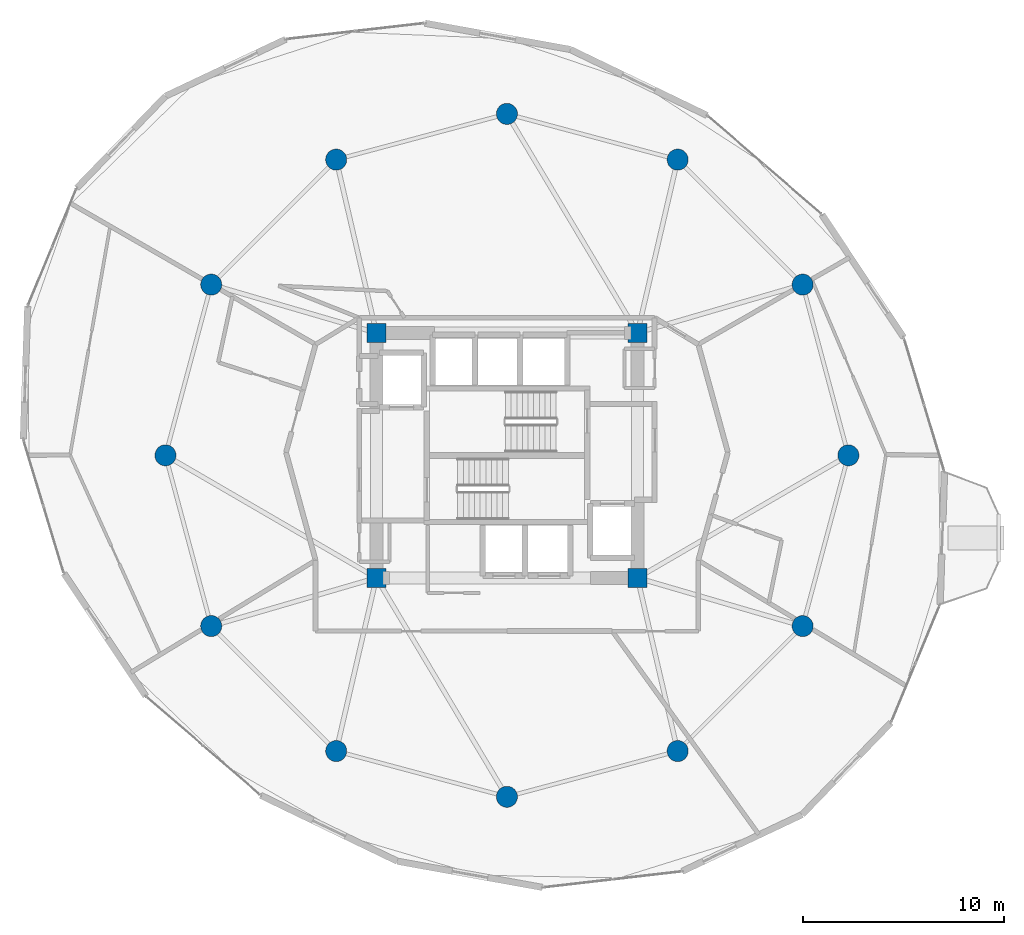
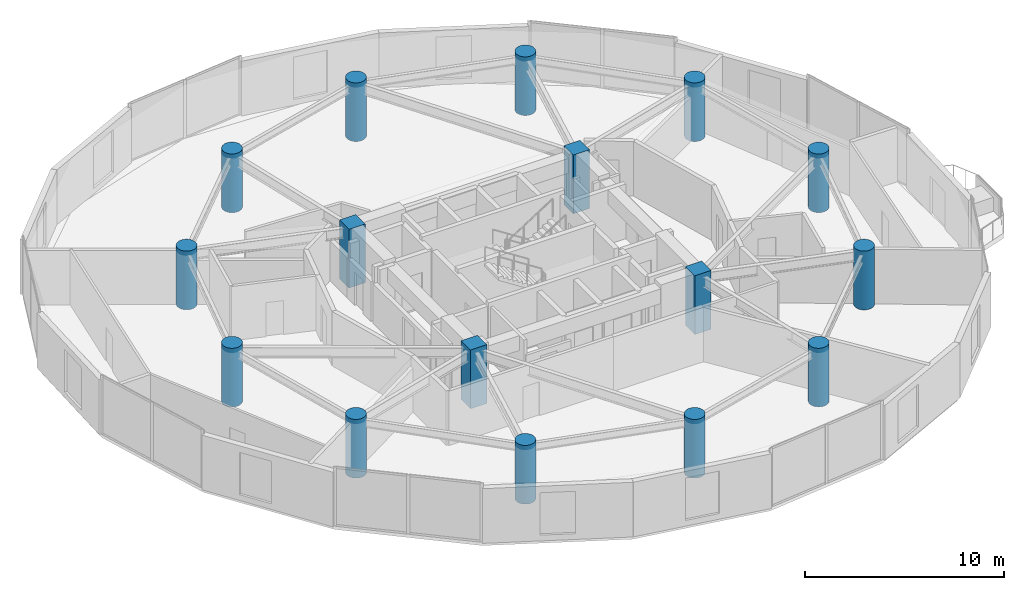
# One storey, part 1 of 26: 16 columns.
"""IFC4 building model written with IfcOpenShell, lengths in metres."""

from ifc_helpers import new_model, si_unit, direction, frame, origin, origin_2d, place, context, subcontext, project, spatial, rectangle, circle, extrude, material, material_profile, profile_set, type_object, element, save


model = new_model("IFC4")

# Units and contexts
model_context = context("Model", 3, precision=1e-05, world=origin(), true_north=direction((0.0, 1.0)))
body_context = subcontext(model_context, "Body", "Model", "MODEL_VIEW")
ifc_project = project(units=[si_unit("LENGTHUNIT", "METRE"), si_unit("AREAUNIT", "SQUARE_METRE"), si_unit("VOLUMEUNIT", "CUBIC_METRE"), si_unit("PLANEANGLEUNIT", "RADIAN"), si_unit("MASSUNIT", "GRAM", prefix="KILO")], contexts=[model_context])

# Site, building, storey
site_placement = place(None, origin())
site = spatial("IfcSite", under=ifc_project, at=site_placement, CompositionType="ELEMENT")
building_placement = place(site_placement, origin())
building = spatial("IfcBuilding", under=site, at=building_placement, Name="Solvirekh Grand Hotel", CompositionType="ELEMENT")
storey_placement = place(building_placement, frame((0.0, 0.0, 113.39990234375)))
storey = spatial("IfcBuildingStorey", under=building, at=storey_placement, Name="L28", CompositionType="ELEMENT", Elevation=113.39990234375)

# Columns
ifc_material = material(Name="Concrete C50/60", Category="concrete")
ifc_material_profile_1 = material_profile(ifc_material, rectangle(XDim=0.949951171875, YDim=0.949951171875, at=origin_2d()), Name="RC 950X950")
ifc_profile_set_1 = profile_set([ifc_material_profile_1], Name="Concrete C50/60")
column_type_1 = type_object("IfcColumnType", Name="Col_Core_950", PredefinedType="COLUMN", material=ifc_profile_set_1)
for number, where, z_axis, x_axis, name in (
    (1, (-6.5, -6.10009765625, 0.0), (0.0, 0.0, 1.0), (1.0, 0.0, 0.0), "L28 core corner column CC1"),
    (2, (6.5, -6.10009765625, 0.0), (0.0, 0.0, 1.0), (1.0, 0.0, 0.0), "L28 core corner column CC2"),
    (3, (6.5, 6.10009765625, 0.0), (0.0, 0.0, 1.0), (1.0, 0.0, 0.0), "L28 core corner column CC3"),
    (4, (-6.5, 6.10009765625, 0.0), (0.0, 0.0, 1.0), (1.0, 0.0, 0.0), "L28 core corner column CC4"),
):
    element("IfcColumn", number, at=place(storey_placement, frame(where, z_axis=z_axis, x_axis=x_axis)), inside=storey, type_object=column_type_1, Name=name, PredefinedType="COLUMN", context=body_context, shape_type="SweptSolid", body=[
        extrude(rectangle(XDim=0.949951171875, YDim=0.949951171875, at=origin_2d()), origin(), (0.0, 0.0, 1.0), 3.60009765625),
    ])
ifc_material_profile_2 = material_profile(ifc_material, circle(Radius=0.52490234375, at=origin_2d()), Name="RC CIRC D1050")
ifc_profile_set_2 = profile_set([ifc_material_profile_2], Name="Concrete C50/60")
column_type_2 = type_object("IfcColumnType", Name="Col_Z2_D1050", PredefinedType="COLUMN", material=ifc_profile_set_2)
for number, where, z_axis, x_axis, name in (
    (5, (17.0, 0.0, 0.0), (0.0, 0.0, 1.0), (1.0, 0.0, 0.0), "L28 perimeter column P01"),
    (6, (14.721923828125, 8.5, 0.0), (0.0, 0.0, 1.0), (1.0, 0.0, 0.0), "L28 perimeter column P02"),
    (7, (8.5, 14.721923828125, 0.0), (0.0, 0.0, 1.0), (1.0, 0.0, 0.0), "L28 perimeter column P03"),
    (8, (0.0, 17.0, 0.0), (0.0, 0.0, 1.0), (1.0, 0.0, 0.0), "L28 perimeter column P04"),
    (9, (-8.5, 14.721923828125, 0.0), (0.0, 0.0, 1.0), (1.0, 0.0, 0.0), "L28 perimeter column P05"),
    (10, (-14.721923828125, 8.5, 0.0), (0.0, 0.0, 1.0), (1.0, 0.0, 0.0), "L28 perimeter column P06"),
    (11, (-17.0, 0.0, 0.0), (0.0, 0.0, 1.0), (1.0, 0.0, 0.0), "L28 perimeter column P07"),
    (12, (-14.721923828125, -8.5, 0.0), (0.0, 0.0, 1.0), (1.0, 0.0, 0.0), "L28 perimeter column P08"),
    (13, (-8.5, -14.721923828125, 0.0), (0.0, 0.0, 1.0), (1.0, 0.0, 0.0), "L28 perimeter column P09"),
    (14, (0.0, -17.0, 0.0), (0.0, 0.0, 1.0), (1.0, 0.0, 0.0), "L28 perimeter column P10"),
    (15, (8.5, -14.721923828125, 0.0), (0.0, 0.0, 1.0), (1.0, 0.0, 0.0), "L28 perimeter column P11"),
    (16, (14.721923828125, -8.5, 0.0), (0.0, 0.0, 1.0), (1.0, 0.0, 0.0), "L28 perimeter column P12"),
):
    element("IfcColumn", number, at=place(storey_placement, frame(where, z_axis=z_axis, x_axis=x_axis)), inside=storey, type_object=column_type_2, Name=name, PredefinedType="COLUMN", context=body_context, shape_type="SweptSolid", body=[
        extrude(circle(Radius=0.52490234375, at=origin_2d()), origin(), (0.0, 0.0, 1.0), 3.60009765625),
    ])

save(model, "model.ifc")
